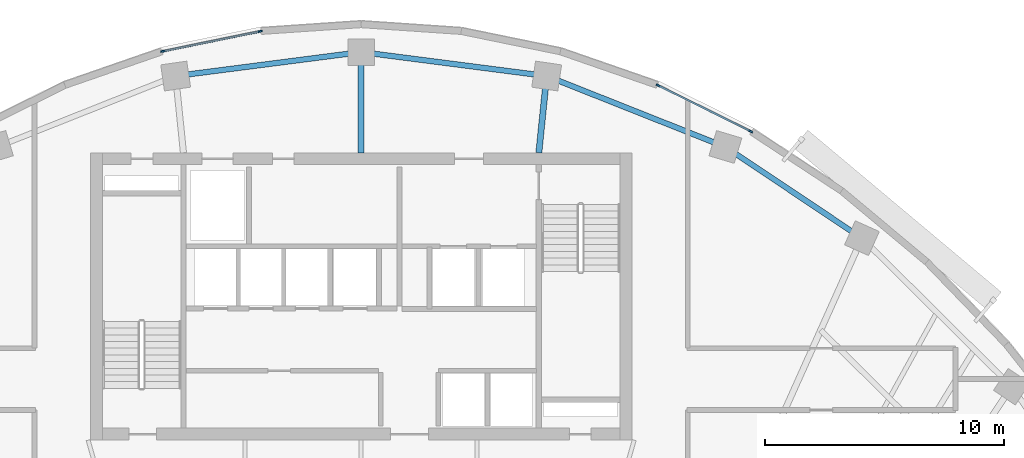
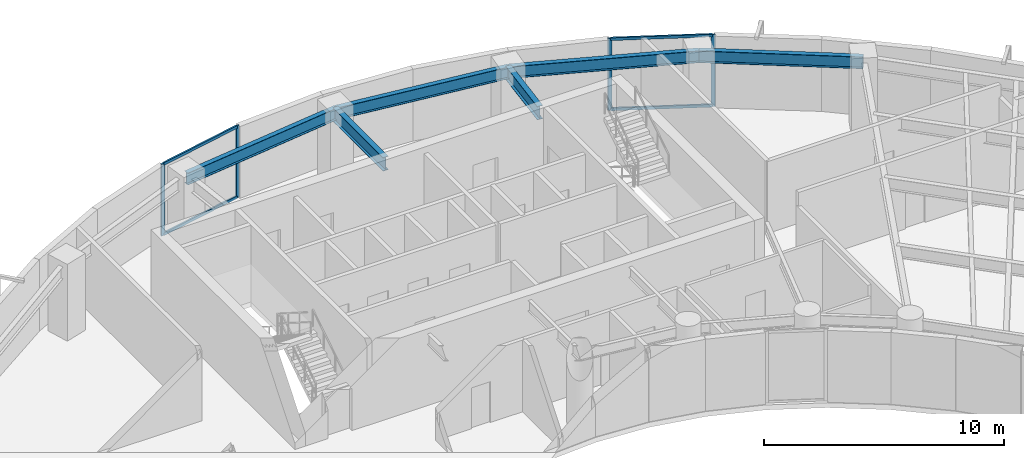
# One storey, part 5 of 13: 8 members, 6 beams, 2 elements without a shape of their own.
"""IFC4 building model written with IfcOpenShell, lengths in metres."""

from ifc_helpers import new_model, si_unit, direction, frame, origin, origin_2d, place, context, subcontext, project, spatial, rectangle, i_section, extrude, source, transform, mapped, material, layer, layer_set, material_profile, profile_set, type_object, element, aggregate, save


model = new_model("IFC4")

# Units and contexts
model_context = context("Model", 3, precision=1e-05, world=origin(), true_north=direction((0.0, 1.0)))
body_context = subcontext(model_context, "Body", "Model", "MODEL_VIEW")
ifc_project = project(units=[si_unit("LENGTHUNIT", "METRE"), si_unit("AREAUNIT", "SQUARE_METRE"), si_unit("VOLUMEUNIT", "CUBIC_METRE"), si_unit("PLANEANGLEUNIT", "RADIAN"), si_unit("MASSUNIT", "GRAM", prefix="KILO")], contexts=[model_context])

# Site, building, storey
site_placement = place(None, origin())
site = spatial("IfcSite", under=ifc_project, at=site_placement, CompositionType="ELEMENT")
building_placement = place(site_placement, origin())
building = spatial("IfcBuilding", under=site, at=building_placement, Name="Breltana Convention Tower", CompositionType="ELEMENT")
storey_placement = place(building_placement, frame((0.0, 0.0, 162.300048828125)))
storey = spatial("IfcBuildingStorey", under=building, at=storey_placement, Name="L39", CompositionType="ELEMENT", Elevation=162.300048828125)

# Beams
ifc_material_1 = material(Name="Steel ASTM A992 Grade 50", Category="steel")
ifc_material_profile_1 = material_profile(ifc_material_1, i_section(OverallWidth=0.25390625, OverallDepth=0.68798828125, WebThickness=0.01318359375, FlangeThickness=0.02099609375, at=origin_2d()), Name="W27X102")
ifc_profile_set_1 = profile_set([ifc_material_profile_1], Name="Steel ASTM A992 Grade 50")
beam_type_1 = type_object("IfcBeamType", Name="BM-RG-W27X102", PredefinedType="USERDEFINED", material=ifc_profile_set_1)
shared_shape_1 = source(origin(), body_context, "Body", "SweptSolid", [
    extrude(i_section(OverallWidth=0.25390625, OverallDepth=0.68798828125, WebThickness=0.01318359375, FlangeThickness=0.02099609375, at=origin_2d()), origin(), (0.0, 0.0, 1.0), 3.220947265625),
])
beam_1_placement = place(storey_placement, frame((55.419921875, 72.199951171875, 3.305908203125), z_axis=(0.101492254858, 0.994836329355, 0.0), x_axis=(-0.994836329355, 0.101492254858, 0.0)))
element("IfcBeam", 1, at=beam_1_placement, inside=storey, type_object=beam_type_1, Name="L39 North Core Radial Girder R07", ObjectType="GIRDER", PredefinedType="USERDEFINED", context=body_context, shape_type="MappedRepresentation", body=[
    mapped(shared_shape_1, transform((0.0, 0.0, 0.0), scale=1.0)),
])
shared_shape_2 = source(origin(), body_context, "Body", "SweptSolid", [
    extrude(i_section(OverallWidth=0.25390625, OverallDepth=0.68798828125, WebThickness=0.01318359375, FlangeThickness=0.02099609375, at=origin_2d()), origin(), (0.0, 0.0, 1.0), 4.2041015625),
])
beam_2_placement = place(storey_placement, frame((48.0, 72.199951171875, 3.305908203125), z_axis=(0.0, 1.0, 0.0), x_axis=(-1.0, 0.0, 0.0)))
element("IfcBeam", 2, at=beam_2_placement, inside=storey, type_object=beam_type_1, Name="L39 North Core Radial Girder R06", ObjectType="GIRDER", PredefinedType="USERDEFINED", context=body_context, shape_type="MappedRepresentation", body=[
    mapped(shared_shape_2, transform((0.0, 0.0, 0.0), scale=1.0)),
])
ifc_material_profile_2 = material_profile(ifc_material_1, i_section(OverallWidth=0.22802734375, OverallDepth=0.60791015625, WebThickness=0.01123046875, FlangeThickness=0.017333984375, at=origin_2d()), Name="W24X76")
ifc_profile_set_2 = profile_set([ifc_material_profile_2], Name="Steel ASTM A992 Grade 50")
beam_type_2 = type_object("IfcBeamType", Name="BM-SP-W24X76", PredefinedType="SPANDREL", material=ifc_profile_set_2)
shared_shape_3 = source(origin(), body_context, "Body", "SweptSolid", [
    extrude(i_section(OverallWidth=0.22802734375, OverallDepth=0.60791015625, WebThickness=0.01123046875, FlangeThickness=0.017333984375, at=origin_2d()), origin(), (0.0, 0.0, 1.0), 8.028564453125),
])
beam_3_placement = place(storey_placement, frame((55.746826171875, 75.404296875, 3.345947265625), z_axis=(0.929459100394, -0.368925169507, 0.0), x_axis=(0.368925169507, 0.929459100394, 0.0)))
element("IfcBeam", 3, at=beam_3_placement, inside=storey, type_object=beam_type_2, Name="L39 Outer Spandrel Beam 07", PredefinedType="SPANDREL", context=body_context, shape_type="MappedRepresentation", body=[
    mapped(shared_shape_3, transform((0.0, 0.0, 0.0), scale=1.0)),
])
shared_shape_4 = source(origin(), body_context, "Body", "SweptSolid", [
    extrude(i_section(OverallWidth=0.22802734375, OverallDepth=0.60791015625, WebThickness=0.01123046875, FlangeThickness=0.017333984375, at=origin_2d()), origin(), (0.0, 0.0, 1.0), 7.81103515625),
])
for number, where, z_axis, x_axis, name in (
    (4, (40.253173828125, 75.404296875, 3.345947265625), (0.991775179127, 0.127992164083, 0.0), (-0.127992164083, 0.991775179127, 0.0), "L39 Outer Spandrel Beam 05"),
    (5, (48.0, 76.404052734375, 3.345947265625), (0.991775179127, -0.127992164083, 0.0), (0.127992164083, 0.991775179127, 0.0), "L39 Outer Spandrel Beam 06"),
):
    element("IfcBeam", number, at=place(storey_placement, frame(where, z_axis=z_axis, x_axis=x_axis)), inside=storey, type_object=beam_type_2, Name=name, PredefinedType="SPANDREL", context=body_context, shape_type="MappedRepresentation", body=[
        mapped(shared_shape_4, transform((0.0, 0.0, 0.0), scale=1.0)),
    ])
shared_shape_5 = source(origin(), body_context, "Body", "SweptSolid", [
    extrude(i_section(OverallWidth=0.22802734375, OverallDepth=0.60791015625, WebThickness=0.01123046875, FlangeThickness=0.017333984375, at=origin_2d()), origin(), (0.0, 0.0, 1.0), 6.856689453125),
])
beam_4_placement = place(storey_placement, frame((63.208984375, 72.4423828125, 3.345947265625), z_axis=(0.83150210718, -0.55552159792, 0.0), x_axis=(0.55552159792, 0.83150210718, 0.0)))
element("IfcBeam", 6, at=beam_4_placement, inside=storey, type_object=beam_type_2, Name="L39 Outer Spandrel Beam 08", PredefinedType="SPANDREL", context=body_context, shape_type="MappedRepresentation", body=[
    mapped(shared_shape_5, transform((0.0, 0.0, 0.0), scale=1.0)),
])

# Curtain wall, members
ifc_material_2 = material(Name="Aluminium Anodised Bronze Frame", Category="aluminium")
ifc_layer = layer(ifc_material_2, 0.2099609375, Name="Aluminium Anodised Bronze Frame")
ifc_layer_set = layer_set([ifc_layer], Name="Aluminium Anodised Bronze Frame")
curtain_wall_type = type_object("IfcCurtainWallType", Name="CW-SYS-3", PredefinedType="NOTDEFINED", material=ifc_layer_set)
curtain_wall_1_placement = place(storey_placement, origin())
curtain_wall_1 = element("IfcCurtainWall", 7, at=curtain_wall_1_placement, inside=storey, type_object=curtain_wall_type, Name="L39 outer double-skin inner glazing 3", PredefinedType="NOTDEFINED")
ifc_material_3 = material(Name="Aluminium Anodised Bronze", Category="aluminium")
ifc_material_profile_3 = material_profile(ifc_material_3, rectangle(XDim=0.070068359375, YDim=0.175048828125, at=origin_2d()), Name="CWM-70X175")
ifc_profile_set_3 = profile_set([ifc_material_profile_3], Name="Aluminium Anodised Bronze")
member_type_1 = type_object("IfcMemberType", Name="CWM-175", PredefinedType="MULLION", material=ifc_profile_set_3)
shared_shape_6 = source(origin(), body_context, "Body", "SweptSolid", [
    extrude(rectangle(XDim=0.070068359375, YDim=0.175048828125, at=origin_2d()), origin(), (0.0, 0.0, 1.0), 3.64990234375),
])
member_1_placement = place(storey_placement, frame((39.71728515625, 76.4384765625, 0.0), z_axis=(0.0, 0.0, 1.0), x_axis=(-0.200876562668, 0.979616560993, 0.0)))
member_1 = element("IfcMember", 8, at=member_1_placement, type_object=member_type_1, Name="CW-03 mullion 1", PredefinedType="MULLION", context=body_context, shape_type="MappedRepresentation", body=[
    mapped(shared_shape_6, transform((0.0, 0.0, 0.0), scale=1.0)),
])
member_2_placement = place(storey_placement, frame((43.7861328125, 77.272705078125, 0.0), z_axis=(0.0, 0.0, 1.0), x_axis=(-0.200876562668, 0.979616560993, 0.0)))
member_2 = element("IfcMember", 9, at=member_2_placement, type_object=member_type_1, Name="CW-03 mullion 2", PredefinedType="MULLION", context=body_context, shape_type="MappedRepresentation", body=[
    mapped(shared_shape_6, transform((0.0, 0.0, 0.0), scale=1.0)),
])

curtain_wall_2_placement = place(storey_placement, origin())
curtain_wall_2 = element("IfcCurtainWall", 10, at=curtain_wall_2_placement, inside=storey, type_object=curtain_wall_type, Name="L39 outer double-skin inner glazing 4", PredefinedType="NOTDEFINED")
member_3_placement = place(storey_placement, frame((60.40185546875, 75.011474609375, 0.0), z_axis=(0.0, 0.0, 1.0), x_axis=(0.444117835682, 0.895968385619, 0.0)))
member_3 = element("IfcMember", 11, at=member_3_placement, type_object=member_type_1, Name="CW-03 mullion 1", PredefinedType="MULLION", context=body_context, shape_type="MappedRepresentation", body=[
    mapped(shared_shape_6, transform((0.0, 0.0, 0.0), scale=1.0)),
])
member_4_placement = place(storey_placement, frame((64.266845703125, 73.095458984375, 0.0), z_axis=(0.0, 0.0, 1.0), x_axis=(0.444117835682, 0.895968385619, 0.0)))
member_4 = element("IfcMember", 12, at=member_4_placement, type_object=member_type_1, Name="CW-03 mullion 2", PredefinedType="MULLION", context=body_context, shape_type="MappedRepresentation", body=[
    mapped(shared_shape_6, transform((0.0, 0.0, 0.0), scale=1.0)),
])
ifc_material_profile_4 = material_profile(ifc_material_3, rectangle(XDim=0.080078125, YDim=0.139892578125, at=origin_2d()), Name="CWT-80X140")
ifc_profile_set_4 = profile_set([ifc_material_profile_4], Name="Aluminium Anodised Bronze")
member_type_2 = type_object("IfcMemberType", Name="CWT-140", PredefinedType="USERDEFINED", material=ifc_profile_set_4)
shared_shape_7 = source(origin(), body_context, "Body", "SweptSolid", [
    extrude(rectangle(XDim=0.080078125, YDim=0.139892578125, at=origin_2d()), origin(), (0.0, 0.0, 1.0), 4.243896484375),
])
member_5_placement = place(storey_placement, frame((60.43310546875, 74.995849609375, 0.0400390625), z_axis=(0.895975011629, -0.444104468043, 0.0), x_axis=(0.444104468043, 0.895975011629, 0.0)))
member_5 = element("IfcMember", 13, at=member_5_placement, type_object=member_type_2, Name="CW-03 transom 1.1", ObjectType="TRANSOM", PredefinedType="USERDEFINED", context=body_context, shape_type="MappedRepresentation", body=[
    mapped(shared_shape_7, transform((0.0, 0.0, 0.0), scale=1.0)),
])
member_6_placement = place(storey_placement, frame((60.43310546875, 74.995849609375, 3.60986328125), z_axis=(0.895975011629, -0.444104468043, 0.0), x_axis=(0.444104468043, 0.895975011629, 0.0)))
member_6 = element("IfcMember", 14, at=member_6_placement, type_object=member_type_2, Name="CW-03 transom 1.2", ObjectType="TRANSOM", PredefinedType="USERDEFINED", context=body_context, shape_type="MappedRepresentation", body=[
    mapped(shared_shape_7, transform((0.0, 0.0, 0.0), scale=1.0)),
])
aggregate(curtain_wall_2, [member_3, member_4, member_5, member_6])

# Member
shared_shape_8 = source(origin(), body_context, "Body", "SweptSolid", [
    extrude(rectangle(XDim=0.080078125, YDim=0.139892578125, at=origin_2d()), origin(), (0.0, 0.0, 1.0), 4.08349609375),
])
member_7_placement = place(storey_placement, frame((39.75146484375, 76.445556640625, 0.0400390625), z_axis=(0.979626533509, 0.20082792347, 0.0), x_axis=(-0.20082792347, 0.979626533509, 0.0)))
member_7 = element("IfcMember", 15, at=member_7_placement, type_object=member_type_2, Name="CW-03 transom 1.1", ObjectType="TRANSOM", PredefinedType="USERDEFINED", context=body_context, shape_type="MappedRepresentation", body=[
    mapped(shared_shape_8, transform((0.0, 0.0, 0.0), scale=1.0)),
])

member_8_placement = place(storey_placement, frame((39.75146484375, 76.445556640625, 3.60986328125), z_axis=(0.979626533509, 0.20082792347, 0.0), x_axis=(-0.20082792347, 0.979626533509, 0.0)))
member_8 = element("IfcMember", 16, at=member_8_placement, type_object=member_type_2, Name="CW-03 transom 1.2", ObjectType="TRANSOM", PredefinedType="USERDEFINED", context=body_context, shape_type="MappedRepresentation", body=[
    mapped(shared_shape_8, transform((0.0, 0.0, 0.0), scale=1.0)),
])

aggregate(curtain_wall_1, [member_1, member_2, member_7, member_8])

save(model, "model.ifc")
